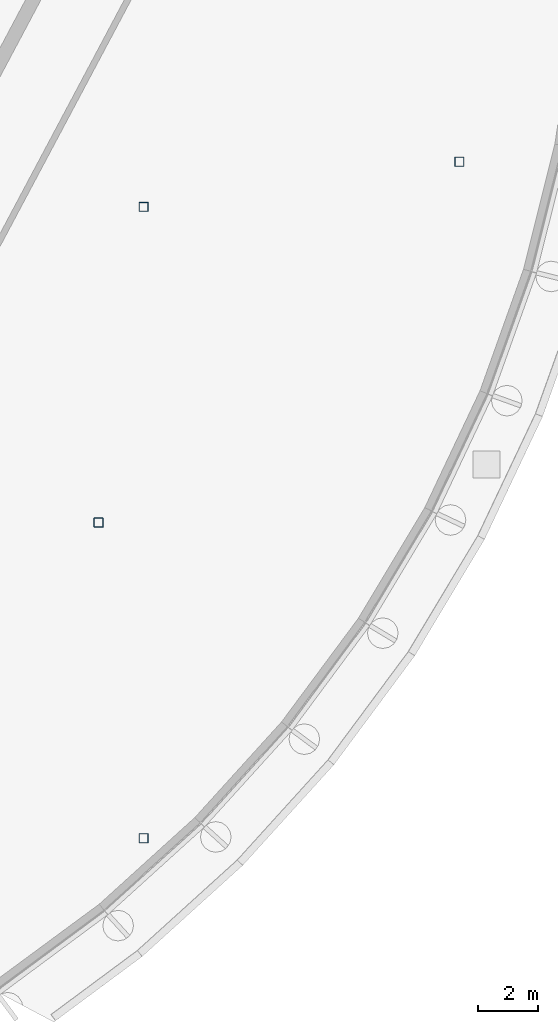
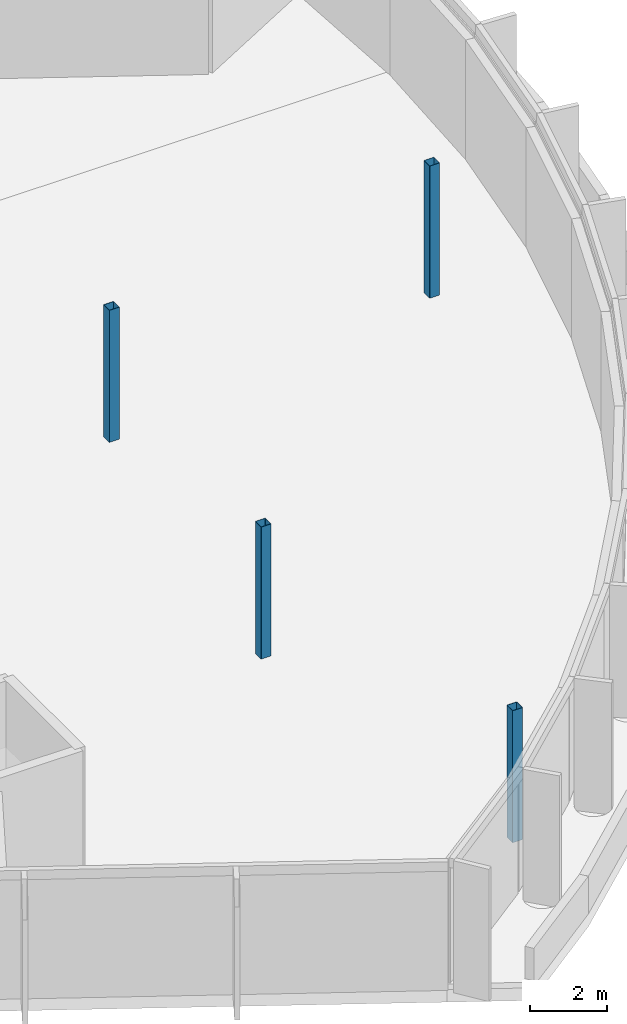
# One storey, part 2 of 15: 4 columns.
"""IFC4 building model written with IfcOpenShell, lengths in metres."""

from ifc_helpers import new_model, si_unit, direction, frame, origin, origin_2d, place, context, subcontext, project, spatial, hollow_rectangle, extrude, material, material_profile, profile_set, type_object, element, save


model = new_model("IFC4")

# Units and contexts
model_context = context("Model", 3, precision=1e-05, world=origin(), true_north=direction((0.0, 1.0)))
body_context = subcontext(model_context, "Body", "Model", "MODEL_VIEW")
ifc_project = project(units=[si_unit("LENGTHUNIT", "METRE"), si_unit("AREAUNIT", "SQUARE_METRE"), si_unit("VOLUMEUNIT", "CUBIC_METRE"), si_unit("PLANEANGLEUNIT", "RADIAN"), si_unit("MASSUNIT", "GRAM", prefix="KILO")], contexts=[model_context])

# Site, building, storey
site_placement = place(None, origin())
site = spatial("IfcSite", under=ifc_project, at=site_placement, CompositionType="ELEMENT")
building_placement = place(site_placement, origin())
building = spatial("IfcBuilding", under=site, at=building_placement, Name="Cormorant Relay Tower", CompositionType="ELEMENT")
storey_placement = place(building_placement, frame((0.0, 0.0, 332.39990234375)))
storey = spatial("IfcBuildingStorey", under=building, at=storey_placement, Name="C2", CompositionType="ELEMENT", Elevation=332.39990234375)

# Columns
ifc_material = material(Name="Steel ASTM A500 Grade C (Fy 345 MPa)", Category="steel")
ifc_material_profile = material_profile(ifc_material, hollow_rectangle(XDim=0.3046875, YDim=0.3046875, WallThickness=0.0087890625, InnerFilletRadius=0.00439453125, OuterFilletRadius=0.01318359375, at=origin_2d()), Name="HSS305x305x9")
ifc_profile_set = profile_set([ifc_material_profile], Name="Steel ASTM A500 Grade C (Fy 345 MPa)")
column_type = type_object("IfcColumnType", Name="Column HSS305x305x9", PredefinedType="COLUMN", material=ifc_profile_set)
for number, where, z_axis, x_axis, name in (
    (1, (-10.5, -10.5, 0.0), (0.0, 0.0, 1.0), (1.0, 0.0, 0.0), "Column C2-001"),
    (2, (-12.0, 0.0, 0.0), (0.0, 0.0, 1.0), (1.0, 0.0, 0.0), "Column C2-002"),
    (3, (-10.5, 10.5, 0.0), (0.0, 0.0, 1.0), (1.0, 0.0, 0.0), "Column C2-003"),
    (4, (0.0, 12.0, 0.0), (0.0, 0.0, 1.0), (1.0, 0.0, 0.0), "Column C2-004"),
):
    element("IfcColumn", number, at=place(storey_placement, frame(where, z_axis=z_axis, x_axis=x_axis)), inside=storey, type_object=column_type, Name=name, PredefinedType="COLUMN", context=body_context, shape_type="SweptSolid", body=[
        extrude(hollow_rectangle(XDim=0.3046875, YDim=0.3046875, WallThickness=0.0087890625, InnerFilletRadius=0.00439453125, OuterFilletRadius=0.01318359375, at=origin_2d()), origin(), (0.0, 0.0, 1.0), 4.2001953125),
    ])

save(model, "model.ifc")
